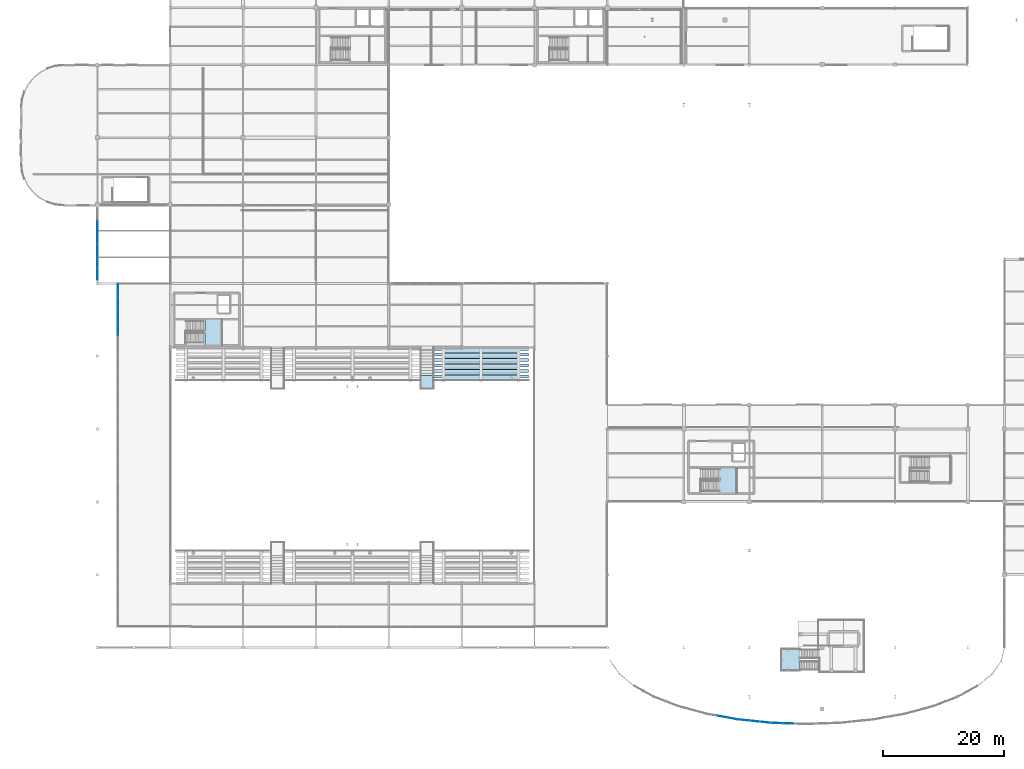
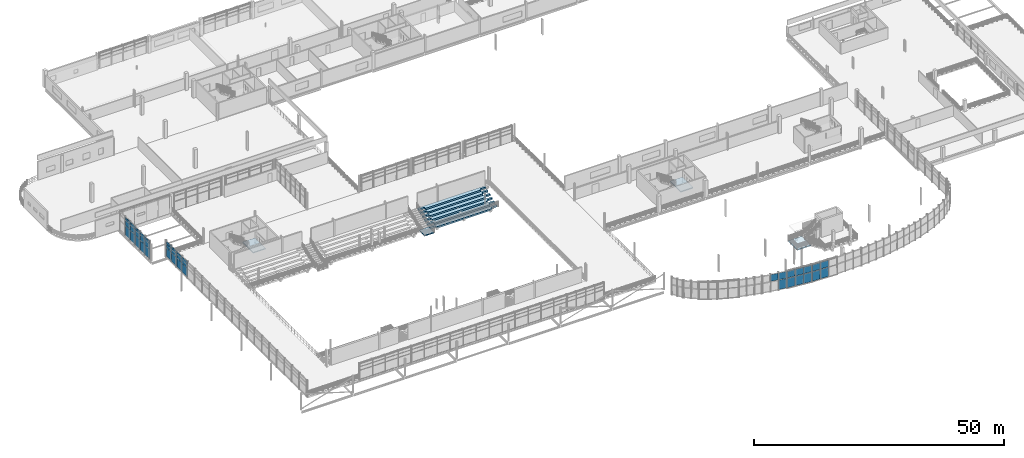
# One storey, part 57 of 89: 40 plates, 10 slabs, 10 elements without a shape of their own.
"""IFC4 building model written with IfcOpenShell, lengths in metres."""

from ifc_helpers import new_model, si_unit, direction, frame, origin, origin_2d, place, context, subcontext, project, spatial, polyline, rectangle, outline, extrude, material, layer, layer_set, type_object, element, aggregate, save


model = new_model("IFC4")

# Units and contexts
model_context = context("Model", 3, precision=1e-05, world=origin(), true_north=direction((0.0, 1.0)))
body_context = subcontext(model_context, "Body", "Model", "MODEL_VIEW")
ifc_project = project(units=[si_unit("LENGTHUNIT", "METRE"), si_unit("AREAUNIT", "SQUARE_METRE"), si_unit("VOLUMEUNIT", "CUBIC_METRE"), si_unit("PLANEANGLEUNIT", "RADIAN"), si_unit("MASSUNIT", "GRAM", prefix="KILO"), si_unit("THERMODYNAMICTEMPERATUREUNIT", "KELVIN"), si_unit("POWERUNIT", "WATT")], contexts=[model_context])

# Site, building, storey
site_placement = place(None, origin())
site = spatial("IfcSite", under=ifc_project, at=site_placement, CompositionType="ELEMENT")
building_placement = place(site_placement, origin())
building = spatial("IfcBuilding", under=site, at=building_placement, Name="Solmara Park Aquatics Centre", CompositionType="ELEMENT")
storey_placement = place(building_placement, frame((0.0, 0.0, 5.39990234375)))
storey = spatial("IfcBuildingStorey", under=building, at=storey_placement, Name="L01", CompositionType="ELEMENT", Elevation=5.39990234375)

# Curtain wall, plates
ifc_material_1 = material(Name="Anodised Aluminium Curtain Wall Framing", Category="aluminium")
curtain_wall_type_1 = type_object("IfcCurtainWallType", Name="ARC-CW-SYS04", PredefinedType="USERDEFINED", material=ifc_material_1)
curtain_wall_1_placement = place(storey_placement, origin())
curtain_wall_1 = element("IfcCurtainWall", 1, at=curtain_wall_1_placement, inside=storey, type_object=curtain_wall_type_1, Name="Curtain Wall CW-038", ObjectType="CURTAIN WALL", PredefinedType="USERDEFINED")
ifc_material_2 = material(Name="Double Low-E Solar-Control Glazing", Category="glass")
ifc_layer_1 = layer(ifc_material_2, 0.031982421875, Name="Double Low-E Solar-Control Glazing")
ifc_layer_set_1 = layer_set([ifc_layer_1], Name="Double Low-E Solar-Control Glazing")
plate_type_1 = type_object("IfcPlateType", Name="ARC-CWP-GLZ32-1640x1640", PredefinedType="CURTAIN_PANEL", material=ifc_layer_set_1)
plate_1_placement = place(storey_placement, frame((115.51318359375, 1.2275390625, 2.47607421875), z_axis=(0.0, 0.0, 1.0), x_axis=(0.9842385399, -0.176845968502, 0.0)))
plate_1 = element("IfcPlate", 2, at=plate_1_placement, type_object=plate_type_1, Name="CW-038 panel 4", PredefinedType="CURTAIN_PANEL", context=body_context, shape_type="SweptSolid", body=[
    extrude(rectangle(XDim=1.642822265625, YDim=0.031982421875, at=origin_2d()), origin(), (0.0, 0.0, 1.0), 1.64404296875),
])
plate_2_placement = place(storey_placement, frame((117.208984375, 0.9228515625, 2.47607421875), z_axis=(0.0, 0.0, 1.0), x_axis=(0.9842385399, -0.176845968502, 0.0)))
plate_2 = element("IfcPlate", 3, at=plate_2_placement, type_object=plate_type_1, Name="CW-038 panel 6", PredefinedType="CURTAIN_PANEL", context=body_context, shape_type="SweptSolid", body=[
    extrude(rectangle(XDim=1.642822265625, YDim=0.031982421875, at=origin_2d()), origin(), (0.0, 0.0, 1.0), 1.64404296875),
])
ifc_layer_2 = layer(ifc_material_2, 0.031982421875, Name="Double Low-E Solar-Control Glazing")
ifc_layer_set_2 = layer_set([ifc_layer_2], Name="Double Low-E Solar-Control Glazing")
plate_type_2 = type_object("IfcPlateType", Name="ARC-CWP-GLZ32-1640x2320", PredefinedType="CURTAIN_PANEL", material=ifc_layer_set_2)
plate_3_placement = place(storey_placement, frame((117.208984375, 0.9228515625, 0.080078125), z_axis=(0.0, 0.0, 1.0), x_axis=(0.9842385399, -0.176845968502, 0.0)))
plate_3 = element("IfcPlate", 4, at=plate_3_placement, type_object=plate_type_2, Name="CW-038 panel 5", PredefinedType="CURTAIN_PANEL", context=body_context, shape_type="SweptSolid", body=[
    extrude(rectangle(XDim=1.642822265625, YDim=0.031982421875, at=origin_2d()), origin(), (0.0, 0.0, 1.0), 2.31591796875),
])
aggregate(curtain_wall_1, [plate_1, plate_3, plate_2])

curtain_wall_2_placement = place(storey_placement, origin())
curtain_wall_2 = element("IfcCurtainWall", 5, at=curtain_wall_2_placement, inside=storey, type_object=curtain_wall_type_1, Name="Curtain Wall CW-041", ObjectType="CURTAIN WALL", PredefinedType="USERDEFINED")
ifc_layer_3 = layer(ifc_material_2, 0.031982421875, Name="Double Low-E Solar-Control Glazing")
ifc_layer_set_3 = layer_set([ifc_layer_3], Name="Double Low-E Solar-Control Glazing")
plate_type_3 = type_object("IfcPlateType", Name="ARC-CWP-GLZ32-1740x1640", PredefinedType="CURTAIN_PANEL", material=ifc_layer_set_3)
plate_4_placement = place(storey_placement, frame((119.040283203125, 0.664306640625, 2.47607421875), z_axis=(0.0, 0.0, 1.0), x_axis=(0.994711425154, -0.102709204398, 0.0)))
plate_4 = element("IfcPlate", 6, at=plate_4_placement, type_object=plate_type_3, Name="CW-041 panel 2", PredefinedType="CURTAIN_PANEL", context=body_context, shape_type="SweptSolid", body=[
    extrude(rectangle(XDim=1.73828125, YDim=0.031982421875, at=origin_2d()), origin(), (0.0, 0.0, 1.0), 1.64404296875),
])
plate_5_placement = place(storey_placement, frame((120.848876953125, 0.477783203125, 2.47607421875), z_axis=(0.0, 0.0, 1.0), x_axis=(0.994711425154, -0.102709204398, 0.0)))
plate_5 = element("IfcPlate", 7, at=plate_5_placement, type_object=plate_type_3, Name="CW-041 panel 4", PredefinedType="CURTAIN_PANEL", context=body_context, shape_type="SweptSolid", body=[
    extrude(rectangle(XDim=1.73828125, YDim=0.031982421875, at=origin_2d()), origin(), (0.0, 0.0, 1.0), 1.64404296875),
])
plate_6_placement = place(storey_placement, frame((122.65771484375, 0.291015625, 2.47607421875), z_axis=(0.0, 0.0, 1.0), x_axis=(0.994711425154, -0.102709204398, 0.0)))
plate_6 = element("IfcPlate", 8, at=plate_6_placement, type_object=plate_type_3, Name="CW-041 panel 6", PredefinedType="CURTAIN_PANEL", context=body_context, shape_type="SweptSolid", body=[
    extrude(rectangle(XDim=1.73828125, YDim=0.031982421875, at=origin_2d()), origin(), (0.0, 0.0, 1.0), 1.64404296875),
])
ifc_layer_4 = layer(ifc_material_2, 0.031982421875, Name="Double Low-E Solar-Control Glazing")
ifc_layer_set_4 = layer_set([ifc_layer_4], Name="Double Low-E Solar-Control Glazing")
plate_type_4 = type_object("IfcPlateType", Name="ARC-CWP-GLZ32-1740x2320", PredefinedType="CURTAIN_PANEL", material=ifc_layer_set_4)
plate_7_placement = place(storey_placement, frame((119.040283203125, 0.664306640625, 0.080078125), z_axis=(0.0, 0.0, 1.0), x_axis=(0.994711425154, -0.102709204398, 0.0)))
plate_7 = element("IfcPlate", 9, at=plate_7_placement, type_object=plate_type_4, Name="CW-041 panel 1", PredefinedType="CURTAIN_PANEL", context=body_context, shape_type="SweptSolid", body=[
    extrude(rectangle(XDim=1.73828125, YDim=0.031982421875, at=origin_2d()), origin(), (0.0, 0.0, 1.0), 2.31591796875),
])
plate_8_placement = place(storey_placement, frame((120.848876953125, 0.477783203125, 0.080078125), z_axis=(0.0, 0.0, 1.0), x_axis=(0.994711425154, -0.102709204398, 0.0)))
plate_8 = element("IfcPlate", 10, at=plate_8_placement, type_object=plate_type_4, Name="CW-041 panel 3", PredefinedType="CURTAIN_PANEL", context=body_context, shape_type="SweptSolid", body=[
    extrude(rectangle(XDim=1.73828125, YDim=0.031982421875, at=origin_2d()), origin(), (0.0, 0.0, 1.0), 2.31591796875),
])
plate_9_placement = place(storey_placement, frame((122.65771484375, 0.291015625, 0.080078125), z_axis=(0.0, 0.0, 1.0), x_axis=(0.994711425154, -0.102709204398, 0.0)))
plate_9 = element("IfcPlate", 11, at=plate_9_placement, type_object=plate_type_4, Name="CW-041 panel 5", PredefinedType="CURTAIN_PANEL", context=body_context, shape_type="SweptSolid", body=[
    extrude(rectangle(XDim=1.73828125, YDim=0.031982421875, at=origin_2d()), origin(), (0.0, 0.0, 1.0), 2.31591796875),
])
aggregate(curtain_wall_2, [plate_7, plate_4, plate_8, plate_5, plate_9, plate_6])

curtain_wall_3_placement = place(storey_placement, origin())
curtain_wall_3 = element("IfcCurtainWall", 12, at=curtain_wall_3_placement, inside=storey, type_object=curtain_wall_type_1, Name="Curtain Wall CW-044", ObjectType="CURTAIN WALL", PredefinedType="USERDEFINED")
ifc_layer_5 = layer(ifc_material_2, 0.031982421875, Name="Double Low-E Solar-Control Glazing")
ifc_layer_set_5 = layer_set([ifc_layer_5], Name="Double Low-E Solar-Control Glazing")
plate_type_5 = type_object("IfcPlateType", Name="ARC-CWP-GLZ32-1780x1640", PredefinedType="CURTAIN_PANEL", material=ifc_layer_set_5)
plate_10_placement = place(storey_placement, frame((124.57470703125, 0.1591796875, 2.47607421875), z_axis=(0.0, 0.0, 1.0), x_axis=(0.999432366194, -0.033688950762, 0.0)))
plate_10 = element("IfcPlate", 13, at=plate_10_placement, type_object=plate_type_5, Name="CW-044 panel 2", PredefinedType="CURTAIN_PANEL", context=body_context, shape_type="SweptSolid", body=[
    extrude(rectangle(XDim=1.787109375, YDim=0.031982421875, at=origin_2d()), origin(), (0.0, 0.0, 1.0), 1.64404296875),
])
plate_11_placement = place(storey_placement, frame((126.44091796875, 0.096435546875, 2.47607421875), z_axis=(0.0, 0.0, 1.0), x_axis=(0.999432366194, -0.033688950762, 0.0)))
plate_11 = element("IfcPlate", 14, at=plate_11_placement, type_object=plate_type_5, Name="CW-044 panel 4", PredefinedType="CURTAIN_PANEL", context=body_context, shape_type="SweptSolid", body=[
    extrude(rectangle(XDim=1.787109375, YDim=0.031982421875, at=origin_2d()), origin(), (0.0, 0.0, 1.0), 1.64404296875),
])
ifc_layer_6 = layer(ifc_material_2, 0.031982421875, Name="Double Low-E Solar-Control Glazing")
ifc_layer_set_6 = layer_set([ifc_layer_6], Name="Double Low-E Solar-Control Glazing")
plate_type_6 = type_object("IfcPlateType", Name="ARC-CWP-GLZ32-1780x2320", PredefinedType="CURTAIN_PANEL", material=ifc_layer_set_6)
plate_12_placement = place(storey_placement, frame((124.57470703125, 0.1591796875, 0.080078125), z_axis=(0.0, 0.0, 1.0), x_axis=(0.999432366194, -0.033688950762, 0.0)))
plate_12 = element("IfcPlate", 15, at=plate_12_placement, type_object=plate_type_6, Name="CW-044 panel 1", PredefinedType="CURTAIN_PANEL", context=body_context, shape_type="SweptSolid", body=[
    extrude(rectangle(XDim=1.787109375, YDim=0.031982421875, at=origin_2d()), origin(), (0.0, 0.0, 1.0), 2.31591796875),
])
plate_13_placement = place(storey_placement, frame((126.44091796875, 0.096435546875, 0.080078125), z_axis=(0.0, 0.0, 1.0), x_axis=(0.999432366194, -0.033688950762, 0.0)))
plate_13 = element("IfcPlate", 16, at=plate_13_placement, type_object=plate_type_6, Name="CW-044 panel 3", PredefinedType="CURTAIN_PANEL", context=body_context, shape_type="SweptSolid", body=[
    extrude(rectangle(XDim=1.787109375, YDim=0.031982421875, at=origin_2d()), origin(), (0.0, 0.0, 1.0), 2.31591796875),
])
aggregate(curtain_wall_3, [plate_12, plate_10, plate_13, plate_11])

curtain_wall_type_2 = type_object("IfcCurtainWallType", Name="ARC-CW-SYS05", PredefinedType="USERDEFINED", material=ifc_material_1)
curtain_wall_4_placement = place(storey_placement, origin())
curtain_wall_4 = element("IfcCurtainWall", 17, at=curtain_wall_4_placement, inside=storey, type_object=curtain_wall_type_2, Name="Curtain Wall CW-099", ObjectType="CURTAIN WALL", PredefinedType="USERDEFINED")
ifc_layer_7 = layer(ifc_material_2, 0.035888671875, Name="Double Low-E Solar-Control Glazing")
ifc_layer_set_7 = layer_set([ifc_layer_7], Name="Double Low-E Solar-Control Glazing")
plate_type_7 = type_object("IfcPlateType", Name="ARC-CWP-GLZ36-1840x1280", PredefinedType="CURTAIN_PANEL", material=ifc_layer_set_7)
plate_14_placement = place(storey_placement, frame((12.60009765625, 74.139892578125, 2.490234375), z_axis=(0.0, 0.0, 1.0), x_axis=(0.0, 1.0, 0.0)))
plate_14 = element("IfcPlate", 18, at=plate_14_placement, type_object=plate_type_7, Name="CW-099 panel 2", PredefinedType="CURTAIN_PANEL", context=body_context, shape_type="SweptSolid", body=[
    extrude(rectangle(XDim=1.840087890625, YDim=0.035888671875, at=origin_2d()), origin(), (0.0, 0.0, 1.0), 1.280029296875),
])
plate_15_placement = place(storey_placement, frame((12.60009765625, 76.06005859375, 2.490234375), z_axis=(0.0, 0.0, 1.0), x_axis=(0.0, 1.0, 0.0)))
plate_15 = element("IfcPlate", 19, at=plate_15_placement, type_object=plate_type_7, Name="CW-099 panel 5", PredefinedType="CURTAIN_PANEL", context=body_context, shape_type="SweptSolid", body=[
    extrude(rectangle(XDim=1.840087890625, YDim=0.035888671875, at=origin_2d()), origin(), (0.0, 0.0, 1.0), 1.280029296875),
])
plate_16_placement = place(storey_placement, frame((12.60009765625, 77.97998046875, 2.490234375), z_axis=(0.0, 0.0, 1.0), x_axis=(0.0, 1.0, 0.0)))
plate_16 = element("IfcPlate", 20, at=plate_16_placement, type_object=plate_type_7, Name="CW-099 panel 8", PredefinedType="CURTAIN_PANEL", context=body_context, shape_type="SweptSolid", body=[
    extrude(rectangle(XDim=1.840087890625, YDim=0.035888671875, at=origin_2d()), origin(), (0.0, 0.0, 1.0), 1.280029296875),
])
ifc_layer_8 = layer(ifc_material_2, 0.035888671875, Name="Double Low-E Solar-Control Glazing")
ifc_layer_set_8 = layer_set([ifc_layer_8], Name="Double Low-E Solar-Control Glazing")
plate_type_8 = type_object("IfcPlateType", Name="ARC-CWP-GLZ36-1840x2320", PredefinedType="CURTAIN_PANEL", material=ifc_layer_set_8)
plate_17_placement = place(storey_placement, frame((12.60009765625, 74.139892578125, 0.080078125), z_axis=(0.0, 0.0, 1.0), x_axis=(0.0, 1.0, 0.0)))
plate_17 = element("IfcPlate", 21, at=plate_17_placement, type_object=plate_type_8, Name="CW-099 panel 1", PredefinedType="CURTAIN_PANEL", context=body_context, shape_type="SweptSolid", body=[
    extrude(rectangle(XDim=1.840087890625, YDim=0.035888671875, at=origin_2d()), origin(), (0.0, 0.0, 1.0), 2.330078125),
])
plate_18_placement = place(storey_placement, frame((12.60009765625, 76.06005859375, 0.080078125), z_axis=(0.0, 0.0, 1.0), x_axis=(0.0, 1.0, 0.0)))
plate_18 = element("IfcPlate", 22, at=plate_18_placement, type_object=plate_type_8, Name="CW-099 panel 4", PredefinedType="CURTAIN_PANEL", context=body_context, shape_type="SweptSolid", body=[
    extrude(rectangle(XDim=1.840087890625, YDim=0.035888671875, at=origin_2d()), origin(), (0.0, 0.0, 1.0), 2.330078125),
])
plate_19_placement = place(storey_placement, frame((12.60009765625, 77.97998046875, 0.080078125), z_axis=(0.0, 0.0, 1.0), x_axis=(0.0, 1.0, 0.0)))
plate_19 = element("IfcPlate", 23, at=plate_19_placement, type_object=plate_type_8, Name="CW-099 panel 7", PredefinedType="CURTAIN_PANEL", context=body_context, shape_type="SweptSolid", body=[
    extrude(rectangle(XDim=1.840087890625, YDim=0.035888671875, at=origin_2d()), origin(), (0.0, 0.0, 1.0), 2.330078125),
])

curtain_wall_5_placement = place(storey_placement, origin())
curtain_wall_5 = element("IfcCurtainWall", 24, at=curtain_wall_5_placement, inside=storey, type_object=curtain_wall_type_2, Name="Curtain Wall CW-103", ObjectType="CURTAIN WALL", PredefinedType="USERDEFINED")
ifc_layer_9 = layer(ifc_material_2, 0.035888671875, Name="Double Low-E Solar-Control Glazing")
ifc_layer_set_9 = layer_set([ifc_layer_9], Name="Double Low-E Solar-Control Glazing")
plate_type_9 = type_object("IfcPlateType", Name="ARC-CWP-GLZ36-1900x1280", PredefinedType="CURTAIN_PANEL", material=ifc_layer_set_9)
plate_20_placement = place(storey_placement, frame((12.60009765625, 80.013427734375, 2.490234375), z_axis=(0.0, 0.0, 1.0), x_axis=(0.0, 1.0, 0.0)))
plate_20 = element("IfcPlate", 25, at=plate_20_placement, type_object=plate_type_9, Name="CW-103 panel 2", PredefinedType="CURTAIN_PANEL", context=body_context, shape_type="SweptSolid", body=[
    extrude(rectangle(XDim=1.90673828125, YDim=0.035888671875, at=origin_2d()), origin(), (0.0, 0.0, 1.0), 1.280029296875),
])
plate_21_placement = place(storey_placement, frame((12.60009765625, 82.0, 2.490234375), z_axis=(0.0, 0.0, 1.0), x_axis=(0.0, 1.0, 0.0)))
plate_21 = element("IfcPlate", 26, at=plate_21_placement, type_object=plate_type_9, Name="CW-103 panel 5", PredefinedType="CURTAIN_PANEL", context=body_context, shape_type="SweptSolid", body=[
    extrude(rectangle(XDim=1.906494140625, YDim=0.035888671875, at=origin_2d()), origin(), (0.0, 0.0, 1.0), 1.280029296875),
])
ifc_layer_10 = layer(ifc_material_2, 0.035888671875, Name="Double Low-E Solar-Control Glazing")
ifc_layer_set_10 = layer_set([ifc_layer_10], Name="Double Low-E Solar-Control Glazing")
plate_type_10 = type_object("IfcPlateType", Name="ARC-CWP-GLZ36-1900x2320", PredefinedType="CURTAIN_PANEL", material=ifc_layer_set_10)
plate_22_placement = place(storey_placement, frame((12.60009765625, 80.013427734375, 0.080078125), z_axis=(0.0, 0.0, 1.0), x_axis=(0.0, 1.0, 0.0)))
plate_22 = element("IfcPlate", 27, at=plate_22_placement, type_object=plate_type_10, Name="CW-103 panel 1", PredefinedType="CURTAIN_PANEL", context=body_context, shape_type="SweptSolid", body=[
    extrude(rectangle(XDim=1.90673828125, YDim=0.035888671875, at=origin_2d()), origin(), (0.0, 0.0, 1.0), 2.330078125),
])
plate_23_placement = place(storey_placement, frame((12.60009765625, 82.0, 0.080078125), z_axis=(0.0, 0.0, 1.0), x_axis=(0.0, 1.0, 0.0)))
plate_23 = element("IfcPlate", 28, at=plate_23_placement, type_object=plate_type_10, Name="CW-103 panel 4", PredefinedType="CURTAIN_PANEL", context=body_context, shape_type="SweptSolid", body=[
    extrude(rectangle(XDim=1.906494140625, YDim=0.035888671875, at=origin_2d()), origin(), (0.0, 0.0, 1.0), 2.330078125),
])

curtain_wall_6_placement = place(storey_placement, origin())
curtain_wall_6 = element("IfcCurtainWall", 29, at=curtain_wall_6_placement, inside=storey, type_object=curtain_wall_type_2, Name="Curtain Wall CW-020", ObjectType="CURTAIN WALL", PredefinedType="USERDEFINED")
ifc_layer_11 = layer(ifc_material_2, 0.035888671875, Name="Double Low-E Solar-Control Glazing")
ifc_layer_set_11 = layer_set([ifc_layer_11], Name="Double Low-E Solar-Control Glazing")
plate_type_11 = type_object("IfcPlateType", Name="ARC-CWP-GLZ36-2040x2140", PredefinedType="CURTAIN_PANEL", material=ifc_layer_set_11)
plate_24_placement = place(storey_placement, frame((16.0, 65.0849609375, 0.080078125), z_axis=(0.0, 0.0, 1.0), x_axis=(0.0, 1.0, 0.0)))
plate_24 = element("IfcPlate", 30, at=plate_24_placement, type_object=plate_type_11, Name="CW-020 panel 1", PredefinedType="CURTAIN_PANEL", context=body_context, shape_type="SweptSolid", body=[
    extrude(rectangle(XDim=2.050048828125, YDim=0.035888671875, at=origin_2d()), origin(), (0.0, 0.0, 1.0), 2.14208984375),
])
plate_25_placement = place(storey_placement, frame((16.0, 67.215087890625, 0.080078125), z_axis=(0.0, 0.0, 1.0), x_axis=(0.0, 1.0, 0.0)))
plate_25 = element("IfcPlate", 31, at=plate_25_placement, type_object=plate_type_11, Name="CW-020 panel 4", PredefinedType="CURTAIN_PANEL", context=body_context, shape_type="SweptSolid", body=[
    extrude(rectangle(XDim=2.050048828125, YDim=0.035888671875, at=origin_2d()), origin(), (0.0, 0.0, 1.0), 2.14208984375),
])
plate_26_placement = place(storey_placement, frame((16.0, 71.47509765625, 0.080078125), z_axis=(0.0, 0.0, 1.0), x_axis=(0.0, 1.0, 0.0)))
plate_26 = element("IfcPlate", 32, at=plate_26_placement, type_object=plate_type_11, Name="CW-020 panel 10", PredefinedType="CURTAIN_PANEL", context=body_context, shape_type="SweptSolid", body=[
    extrude(rectangle(XDim=2.050048828125, YDim=0.035888671875, at=origin_2d()), origin(), (0.0, 0.0, 1.0), 2.14208984375),
])
ifc_layer_12 = layer(ifc_material_2, 0.035888671875, Name="Double Low-E Solar-Control Glazing")
ifc_layer_set_12 = layer_set([ifc_layer_12], Name="Double Low-E Solar-Control Glazing")
plate_type_12 = type_object("IfcPlateType", Name="ARC-CWP-GLZ36-2040x800", PredefinedType="CURTAIN_PANEL", material=ifc_layer_set_12)
plate_27_placement = place(storey_placement, frame((16.0, 65.0849609375, 2.302001953125), z_axis=(0.0, 0.0, 1.0), x_axis=(0.0, 1.0, 0.0)))
plate_27 = element("IfcPlate", 33, at=plate_27_placement, type_object=plate_type_12, Name="CW-020 panel 2", PredefinedType="CURTAIN_PANEL", context=body_context, shape_type="SweptSolid", body=[
    extrude(rectangle(XDim=2.050048828125, YDim=0.035888671875, at=origin_2d()), origin(), (0.0, 0.0, 1.0), 0.80810546875),
])
plate_28_placement = place(storey_placement, frame((16.0, 67.215087890625, 2.302001953125), z_axis=(0.0, 0.0, 1.0), x_axis=(0.0, 1.0, 0.0)))
plate_28 = element("IfcPlate", 34, at=plate_28_placement, type_object=plate_type_12, Name="CW-020 panel 5", PredefinedType="CURTAIN_PANEL", context=body_context, shape_type="SweptSolid", body=[
    extrude(rectangle(XDim=2.050048828125, YDim=0.035888671875, at=origin_2d()), origin(), (0.0, 0.0, 1.0), 0.80810546875),
])
plate_29_placement = place(storey_placement, frame((16.0, 71.47509765625, 2.302001953125), z_axis=(0.0, 0.0, 1.0), x_axis=(0.0, 1.0, 0.0)))
plate_29 = element("IfcPlate", 35, at=plate_29_placement, type_object=plate_type_12, Name="CW-020 panel 11", PredefinedType="CURTAIN_PANEL", context=body_context, shape_type="SweptSolid", body=[
    extrude(rectangle(XDim=2.050048828125, YDim=0.035888671875, at=origin_2d()), origin(), (0.0, 0.0, 1.0), 0.80810546875),
])
ifc_layer_13 = layer(ifc_material_2, 0.035888671875, Name="Double Low-E Solar-Control Glazing")
ifc_layer_set_13 = layer_set([ifc_layer_13], Name="Double Low-E Solar-Control Glazing")
plate_type_13 = type_object("IfcPlateType", Name="ARC-CWP-GLZ36-2060x2140", PredefinedType="CURTAIN_PANEL", material=ifc_layer_set_13)
plate_30_placement = place(storey_placement, frame((16.0, 69.344970703125, 0.080078125), z_axis=(0.0, 0.0, 1.0), x_axis=(0.0, 1.0, 0.0)))
plate_30 = element("IfcPlate", 36, at=plate_30_placement, type_object=plate_type_13, Name="CW-020 panel 7", PredefinedType="CURTAIN_PANEL", context=body_context, shape_type="SweptSolid", body=[
    extrude(rectangle(XDim=2.050048828125, YDim=0.035888671875, at=origin_2d()), origin(), (0.0, 0.0, 1.0), 2.14208984375),
])
ifc_layer_14 = layer(ifc_material_2, 0.035888671875, Name="Double Low-E Solar-Control Glazing")
ifc_layer_set_14 = layer_set([ifc_layer_14], Name="Double Low-E Solar-Control Glazing")
plate_type_14 = type_object("IfcPlateType", Name="ARC-CWP-GLZ36-2060x800", PredefinedType="CURTAIN_PANEL", material=ifc_layer_set_14)
plate_31_placement = place(storey_placement, frame((16.0, 69.344970703125, 2.302001953125), z_axis=(0.0, 0.0, 1.0), x_axis=(0.0, 1.0, 0.0)))
plate_31 = element("IfcPlate", 37, at=plate_31_placement, type_object=plate_type_14, Name="CW-020 panel 8", PredefinedType="CURTAIN_PANEL", context=body_context, shape_type="SweptSolid", body=[
    extrude(rectangle(XDim=2.050048828125, YDim=0.035888671875, at=origin_2d()), origin(), (0.0, 0.0, 1.0), 0.80810546875),
])
ifc_material_3 = material(Name="Golden-Ochre Enamelled Aluminium Fascia Panel", Category="aluminium")
ifc_layer_15 = layer(ifc_material_3, 0.0400390625, Name="Golden-Ochre Enamelled Aluminium Fascia Panel")
ifc_layer_set_15 = layer_set([ifc_layer_15], Name="Golden-Ochre Enamelled Aluminium Fascia Panel")
plate_type_15 = type_object("IfcPlateType", Name="ARC-CWP-OCH40-2040x640", PredefinedType="CURTAIN_PANEL", material=ifc_layer_set_15)
plate_32_placement = place(storey_placement, frame((16.0, 65.0849609375, 3.190185546875), z_axis=(0.0, 0.0, 1.0), x_axis=(0.0, 1.0, 0.0)))
plate_32 = element("IfcPlate", 38, at=plate_32_placement, type_object=plate_type_15, Name="CW-020 panel 3", PredefinedType="CURTAIN_PANEL", context=body_context, shape_type="SweptSolid", body=[
    extrude(rectangle(XDim=2.050048828125, YDim=0.0400390625, at=origin_2d()), origin(), (0.0, 0.0, 1.0), 0.6298828125),
])
plate_33_placement = place(storey_placement, frame((16.0, 67.215087890625, 3.190185546875), z_axis=(0.0, 0.0, 1.0), x_axis=(0.0, 1.0, 0.0)))
plate_33 = element("IfcPlate", 39, at=plate_33_placement, type_object=plate_type_15, Name="CW-020 panel 6", PredefinedType="CURTAIN_PANEL", context=body_context, shape_type="SweptSolid", body=[
    extrude(rectangle(XDim=2.050048828125, YDim=0.0400390625, at=origin_2d()), origin(), (0.0, 0.0, 1.0), 0.6298828125),
])
plate_34_placement = place(storey_placement, frame((16.0, 71.47509765625, 3.190185546875), z_axis=(0.0, 0.0, 1.0), x_axis=(0.0, 1.0, 0.0)))
plate_34 = element("IfcPlate", 40, at=plate_34_placement, type_object=plate_type_15, Name="CW-020 panel 12", PredefinedType="CURTAIN_PANEL", context=body_context, shape_type="SweptSolid", body=[
    extrude(rectangle(XDim=2.050048828125, YDim=0.0400390625, at=origin_2d()), origin(), (0.0, 0.0, 1.0), 0.6298828125),
])
ifc_layer_16 = layer(ifc_material_3, 0.0400390625, Name="Golden-Ochre Enamelled Aluminium Fascia Panel")
ifc_layer_set_16 = layer_set([ifc_layer_16], Name="Golden-Ochre Enamelled Aluminium Fascia Panel")
plate_type_16 = type_object("IfcPlateType", Name="ARC-CWP-OCH40-2060x640", PredefinedType="CURTAIN_PANEL", material=ifc_layer_set_16)
plate_35_placement = place(storey_placement, frame((16.0, 69.344970703125, 3.190185546875), z_axis=(0.0, 0.0, 1.0), x_axis=(0.0, 1.0, 0.0)))
plate_35 = element("IfcPlate", 41, at=plate_35_placement, type_object=plate_type_16, Name="CW-020 panel 9", PredefinedType="CURTAIN_PANEL", context=body_context, shape_type="SweptSolid", body=[
    extrude(rectangle(XDim=2.050048828125, YDim=0.0400390625, at=origin_2d()), origin(), (0.0, 0.0, 1.0), 0.6298828125),
])
aggregate(curtain_wall_6, [plate_24, plate_27, plate_32, plate_25, plate_28, plate_33, plate_30, plate_31, plate_35, plate_26, plate_29, plate_34])

# Plate
ifc_material_4 = material(Name="Insulated Anodised Aluminium Spandrel Panel", Category="aluminium")
ifc_layer_17 = layer(ifc_material_4, 0.0439453125, Name="Insulated Anodised Aluminium Spandrel Panel")
ifc_layer_set_17 = layer_set([ifc_layer_17], Name="Insulated Anodised Aluminium Spandrel Panel")
plate_type_17 = type_object("IfcPlateType", Name="ARC-CWP-SPN44-1840x640", PredefinedType="CURTAIN_PANEL", material=ifc_layer_set_17)
plate_36_placement = place(storey_placement, frame((12.60009765625, 74.139892578125, 3.85009765625), z_axis=(0.0, 0.0, 1.0), x_axis=(0.0, 1.0, 0.0)))
plate_36 = element("IfcPlate", 42, at=plate_36_placement, type_object=plate_type_17, Name="CW-099 panel 3", PredefinedType="CURTAIN_PANEL", context=body_context, shape_type="SweptSolid", body=[
    extrude(rectangle(XDim=1.840087890625, YDim=0.0439453125, at=origin_2d()), origin(), (0.0, 0.0, 1.0), 0.6298828125),
])

plate_37_placement = place(storey_placement, frame((12.60009765625, 76.06005859375, 3.85009765625), z_axis=(0.0, 0.0, 1.0), x_axis=(0.0, 1.0, 0.0)))
plate_37 = element("IfcPlate", 43, at=plate_37_placement, type_object=plate_type_17, Name="CW-099 panel 6", PredefinedType="CURTAIN_PANEL", context=body_context, shape_type="SweptSolid", body=[
    extrude(rectangle(XDim=1.840087890625, YDim=0.0439453125, at=origin_2d()), origin(), (0.0, 0.0, 1.0), 0.6298828125),
])

plate_38_placement = place(storey_placement, frame((12.60009765625, 77.97998046875, 3.85009765625), z_axis=(0.0, 0.0, 1.0), x_axis=(0.0, 1.0, 0.0)))
plate_38 = element("IfcPlate", 44, at=plate_38_placement, type_object=plate_type_17, Name="CW-099 panel 9", PredefinedType="CURTAIN_PANEL", context=body_context, shape_type="SweptSolid", body=[
    extrude(rectangle(XDim=1.840087890625, YDim=0.0439453125, at=origin_2d()), origin(), (0.0, 0.0, 1.0), 0.6298828125),
])

aggregate(curtain_wall_4, [plate_17, plate_14, plate_36, plate_18, plate_15, plate_37, plate_19, plate_16, plate_38])

ifc_layer_18 = layer(ifc_material_4, 0.0439453125, Name="Insulated Anodised Aluminium Spandrel Panel")
ifc_layer_set_18 = layer_set([ifc_layer_18], Name="Insulated Anodised Aluminium Spandrel Panel")
plate_type_18 = type_object("IfcPlateType", Name="ARC-CWP-SPN44-1900x640", PredefinedType="CURTAIN_PANEL", material=ifc_layer_set_18)
plate_39_placement = place(storey_placement, frame((12.60009765625, 80.013427734375, 3.85009765625), z_axis=(0.0, 0.0, 1.0), x_axis=(0.0, 1.0, 0.0)))
plate_39 = element("IfcPlate", 45, at=plate_39_placement, type_object=plate_type_18, Name="CW-103 panel 3", PredefinedType="CURTAIN_PANEL", context=body_context, shape_type="SweptSolid", body=[
    extrude(rectangle(XDim=1.90673828125, YDim=0.0439453125, at=origin_2d()), origin(), (0.0, 0.0, 1.0), 0.6298828125),
])

plate_40_placement = place(storey_placement, frame((12.60009765625, 82.0, 3.85009765625), z_axis=(0.0, 0.0, 1.0), x_axis=(0.0, 1.0, 0.0)))
plate_40 = element("IfcPlate", 46, at=plate_40_placement, type_object=plate_type_18, Name="CW-103 panel 6", PredefinedType="CURTAIN_PANEL", context=body_context, shape_type="SweptSolid", body=[
    extrude(rectangle(XDim=1.906494140625, YDim=0.0439453125, at=origin_2d()), origin(), (0.0, 0.0, 1.0), 0.6298828125),
])

aggregate(curtain_wall_5, [plate_22, plate_20, plate_39, plate_23, plate_21, plate_40])

# Stair, slab
ifc_material_5 = material(Name="Concrete C40/50", Category="concrete")
stair_type_1 = type_object("IfcStairType", Name="ARC-ST-CORE", PredefinedType="HALF_TURN_STAIR", material=ifc_material_5)
stair_1_placement = place(storey_placement, origin())
stair_1 = element("IfcStair", 47, at=stair_1_placement, inside=storey, type_object=stair_type_1, Name="ST-03 Protected Exit Stair (L01 to L02)", PredefinedType="HALF_TURN_STAIR")
ifc_layer_19 = layer(ifc_material_5, 0.219970703125, Name="Concrete C40/50")
ifc_layer_set_19 = layer_set([ifc_layer_19], Name="Concrete C40/50")
slab_type_1 = type_object("IfcSlabType", Name="ARC-SLB-LND220", PredefinedType="LANDING", material=ifc_layer_set_19)
slab_1_placement = place(storey_placement, frame((0.0, 0.0, 1.880126953125)))
slab_1 = element("IfcSlab", 48, at=slab_1_placement, type_object=slab_type_1, Name="ST-03 landing 1", PredefinedType="LANDING", context=body_context, shape_type="SweptSolid", body=[
    extrude(outline(polyline([(115.090087890625, 38.030029296875), (117.97998046875, 38.030029296875), (117.97998046875, 42.27001953125), (115.090087890625, 42.27001953125), (115.090087890625, 38.030029296875)])), origin(), (0.0, 0.0, 1.0), 0.219970703125),
])
aggregate(stair_1, [slab_1])

stair_2_placement = place(storey_placement, origin())
stair_2 = element("IfcStair", 49, at=stair_2_placement, inside=storey, type_object=stair_type_1, Name="ST-04 Protected Exit Stair (L01 to L02)", PredefinedType="HALF_TURN_STAIR")
slab_2_placement = place(storey_placement, frame((0.0, 0.0, 1.880126953125)))
slab_2 = element("IfcSlab", 50, at=slab_2_placement, type_object=slab_type_1, Name="ST-04 landing 1", PredefinedType="LANDING", context=body_context, shape_type="SweptSolid", body=[
    extrude(outline(polyline([(30.2900390625, 62.429931640625), (33.179931640625, 62.429931640625), (33.179931640625, 66.669921875), (30.2900390625, 66.669921875), (30.2900390625, 62.429931640625)])), origin(), (0.0, 0.0, 1.0), 0.219970703125),
])
aggregate(stair_2, [slab_2])

stair_type_2 = type_object("IfcStairType", Name="ARC-ST-VOM1", PredefinedType="STRAIGHT_RUN_STAIR", material=ifc_material_5)
stair_3_placement = place(storey_placement, origin())
stair_3 = element("IfcStair", 51, at=stair_3_placement, inside=storey, type_object=stair_type_2, Name="Vomitory Stair VS-02", PredefinedType="STRAIGHT_RUN_STAIR")
slab_3_placement = place(storey_placement, frame((0.0, 0.0, -2.02001953125)))
slab_3 = element("IfcSlab", 52, at=slab_3_placement, type_object=slab_type_1, Name="VS-02 landing 1", PredefinedType="LANDING", context=body_context, shape_type="SweptSolid", body=[
    extrude(outline(polyline([(65.800048828125, 55.22998046875), (68.0, 55.22998046875), (68.0, 57.409912109375), (65.800048828125, 57.409912109375), (65.800048828125, 55.22998046875)])), origin(), (0.0, 0.0, 1.0), 0.22021484375),
])
aggregate(stair_3, [slab_3])

stair_type_3 = type_object("IfcStairType", Name="ARC-ST-DIV", PredefinedType="HALF_TURN_STAIR", material=ifc_material_5)
stair_4_placement = place(storey_placement, origin())
stair_4 = element("IfcStair", 53, at=stair_4_placement, inside=storey, type_object=stair_type_3, Name="Diving Tower Platform Stair DT-02", PredefinedType="HALF_TURN_STAIR")
ifc_layer_20 = layer(ifc_material_5, 0.239990234375, Name="Concrete C40/50")
ifc_layer_set_20 = layer_set([ifc_layer_20], Name="Concrete C40/50")
slab_type_2 = type_object("IfcSlabType", Name="ARC-SLB-LND240", PredefinedType="LANDING", material=ifc_layer_set_20)
slab_4_placement = place(storey_placement, frame((0.0, 0.0, 1.860107421875)))
slab_4 = element("IfcSlab", 54, at=slab_4_placement, type_object=slab_type_2, Name="DT-02 landing 1", PredefinedType="LANDING", context=body_context, shape_type="SweptSolid", body=[
    extrude(outline(polyline([(125.219970703125, 8.820068359375), (128.360107421875, 8.820068359375), (128.360107421875, 12.3798828125), (125.219970703125, 12.3798828125), (125.219970703125, 8.820068359375)])), origin(), (0.0, 0.0, 1.0), 0.239990234375),
])
aggregate(stair_4, [slab_4])

# Slabs
ifc_material_6 = material(Name="Precast Concrete C40/50", Category="concrete")
ifc_layer_21 = layer(ifc_material_6, 0.3798828125, Name="Precast Concrete C40/50")
ifc_layer_set_21 = layer_set([ifc_layer_21], Name="Precast Concrete C40/50")
slab_type_3 = type_object("IfcSlabType", Name="STR-SLB-TIER380", PredefinedType="USERDEFINED", material=ifc_layer_set_21)
slab_5_placement = place(storey_placement, frame((0.0, 0.0, -2.179931640625)))
element("IfcSlab", 55, at=slab_5_placement, inside=storey, type_object=slab_type_3, Name="Stand Lower Tier N Bay 3 Row 1", ObjectType="SEATING TIER", PredefinedType="USERDEFINED", context=body_context, shape_type="SweptSolid", body=[
    extrude(outline(polyline([(69.39990234375, 56.60009765625), (82.199951171875, 56.60009765625), (82.199951171875, 57.050048828125), (83.60009765625, 57.050048828125), (83.60009765625, 57.5), (68.0, 57.5), (68.0, 57.050048828125), (69.39990234375, 57.050048828125), (69.39990234375, 56.60009765625)])), origin(), (0.0, 0.0, 1.0), 0.380126953125),
])
slab_6_placement = place(storey_placement, frame((0.0, 0.0, -1.81982421875)))
element("IfcSlab", 56, at=slab_6_placement, inside=storey, type_object=slab_type_3, Name="Stand Lower Tier N Bay 3 Row 2", ObjectType="SEATING TIER", PredefinedType="USERDEFINED", context=body_context, shape_type="SweptSolid", body=[
    extrude(outline(polyline([(69.39990234375, 57.5), (82.199951171875, 57.5), (82.199951171875, 57.949951171875), (83.60009765625, 57.949951171875), (83.60009765625, 58.39990234375), (68.0, 58.39990234375), (68.0, 57.949951171875), (69.39990234375, 57.949951171875), (69.39990234375, 57.5)])), origin(), (0.0, 0.0, 1.0), 0.3798828125),
])
slab_7_placement = place(storey_placement, frame((0.0, 0.0, -1.4599609375)))
element("IfcSlab", 57, at=slab_7_placement, inside=storey, type_object=slab_type_3, Name="Stand Lower Tier N Bay 3 Row 3", ObjectType="SEATING TIER", PredefinedType="USERDEFINED", context=body_context, shape_type="SweptSolid", body=[
    extrude(outline(polyline([(69.39990234375, 58.39990234375), (82.199951171875, 58.39990234375), (82.199951171875, 58.85009765625), (83.60009765625, 58.85009765625), (83.60009765625, 59.300048828125), (68.0, 59.300048828125), (68.0, 58.85009765625), (69.39990234375, 58.85009765625), (69.39990234375, 58.39990234375)])), origin(), (0.0, 0.0, 1.0), 0.380126953125),
])
slab_8_placement = place(storey_placement, frame((0.0, 0.0, -1.099853515625)))
element("IfcSlab", 58, at=slab_8_placement, inside=storey, type_object=slab_type_3, Name="Stand Lower Tier N Bay 3 Row 4", ObjectType="SEATING TIER", PredefinedType="USERDEFINED", context=body_context, shape_type="SweptSolid", body=[
    extrude(outline(polyline([(69.39990234375, 59.300048828125), (82.199951171875, 59.300048828125), (82.199951171875, 59.75), (83.60009765625, 59.75), (83.60009765625, 60.199951171875), (68.0, 60.199951171875), (68.0, 59.75), (69.39990234375, 59.75), (69.39990234375, 59.300048828125)])), origin(), (0.0, 0.0, 1.0), 0.3798828125),
])
slab_9_placement = place(storey_placement, frame((0.0, 0.0, -0.739990234375)))
element("IfcSlab", 59, at=slab_9_placement, inside=storey, type_object=slab_type_3, Name="Stand Lower Tier N Bay 3 Row 5", ObjectType="SEATING TIER", PredefinedType="USERDEFINED", context=body_context, shape_type="SweptSolid", body=[
    extrude(outline(polyline([(69.39990234375, 60.199951171875), (82.199951171875, 60.199951171875), (82.199951171875, 60.64990234375), (83.60009765625, 60.64990234375), (83.60009765625, 61.10009765625), (68.0, 61.10009765625), (68.0, 60.64990234375), (69.39990234375, 60.64990234375), (69.39990234375, 60.199951171875)])), origin(), (0.0, 0.0, 1.0), 0.380126953125),
])
slab_10_placement = place(storey_placement, frame((0.0, 0.0, -0.3798828125)))
element("IfcSlab", 60, at=slab_10_placement, inside=storey, type_object=slab_type_3, Name="Stand Lower Tier N Bay 3 Row 6", ObjectType="SEATING TIER", PredefinedType="USERDEFINED", context=body_context, shape_type="SweptSolid", body=[
    extrude(outline(polyline([(69.39990234375, 61.10009765625), (82.199951171875, 61.10009765625), (82.199951171875, 61.550048828125), (83.60009765625, 61.550048828125), (83.60009765625, 62.0), (68.0, 62.0), (68.0, 61.550048828125), (69.39990234375, 61.550048828125), (69.39990234375, 61.10009765625)])), origin(), (0.0, 0.0, 1.0), 0.3798828125),
])

save(model, "model.ifc")
